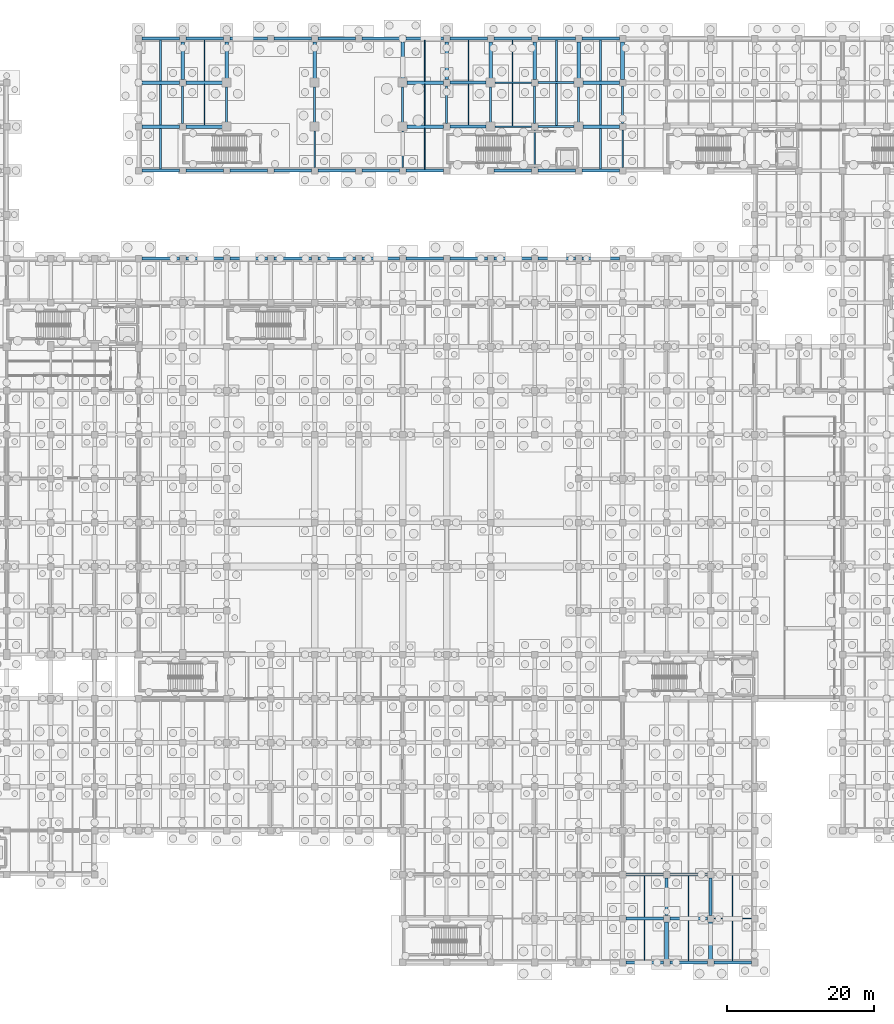
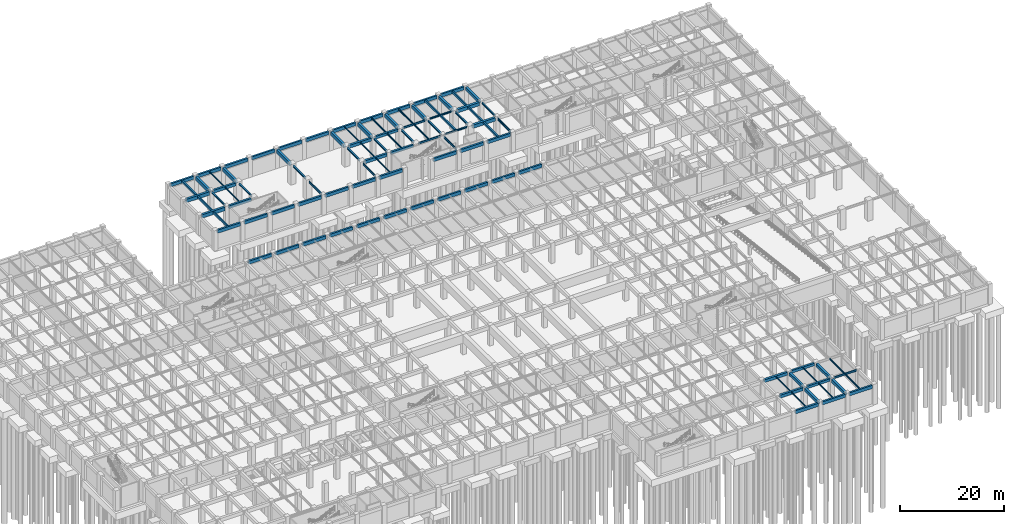
# One storey, part 33 of 54: 103 beams.
"""IFC4 building model written with IfcOpenShell, lengths in metres."""

from ifc_helpers import new_model, si_unit, direction, frame, origin, origin_2d, place, context, subcontext, project, spatial, rectangle, i_section, extrude, material, material_profile, profile_set, type_object, element, save


model = new_model("IFC4")

# Units and contexts
model_context = context("Model", 3, precision=1e-05, world=origin(), true_north=direction((0.0, 1.0)))
body_context = subcontext(model_context, "Body", "Model", "MODEL_VIEW")
ifc_project = project(units=[si_unit("LENGTHUNIT", "METRE"), si_unit("AREAUNIT", "SQUARE_METRE"), si_unit("VOLUMEUNIT", "CUBIC_METRE"), si_unit("PLANEANGLEUNIT", "RADIAN"), si_unit("MASSUNIT", "GRAM", prefix="KILO"), si_unit("THERMODYNAMICTEMPERATUREUNIT", "KELVIN"), si_unit("POWERUNIT", "WATT")], contexts=[model_context])

# Site, building, storey
site_placement = place(None, origin())
site = spatial("IfcSite", under=ifc_project, at=site_placement, CompositionType="ELEMENT")
building_placement = place(site_placement, origin())
building = spatial("IfcBuilding", under=site, at=building_placement, Name="Phaisarnlok Congress Hotel", CompositionType="ELEMENT")
storey_placement = place(building_placement, frame((0.0, 0.0, -4.800048828125)))
storey = spatial("IfcBuildingStorey", under=building, at=storey_placement, Name="B01", CompositionType="ELEMENT", Elevation=-4.800048828125)

# Beams
ifc_material_1 = material(Name="Concrete C40/50", Category="concrete")
ifc_material_profile_1 = material_profile(ifc_material_1, rectangle(XDim=0.39990234375, YDim=0.60009765625, at=origin_2d()), Name="RC 400x600")
ifc_profile_set_1 = profile_set([ifc_material_profile_1], Name="Concrete C40/50")
beam_type_1 = type_object("IfcBeamType", Name="BM-RC-400x600", PredefinedType="BEAM", material=ifc_profile_set_1)
for number, where, z_axis, x_axis, name in (
    (1, (102.445068359375, 114.0, 4.199951171875), (1.0, 0.0, 0.0), (0.0, 1.0, 0.0), "Beam B-02"),
    (2, (102.445068359375, 120.0, 4.199951171875), (1.0, 0.0, 0.0), (0.0, 1.0, 0.0), "Beam B-02"),
):
    element("IfcBeam", number, at=place(storey_placement, frame(where, z_axis=z_axis, x_axis=x_axis)), inside=storey, type_object=beam_type_1, Name=name, PredefinedType="BEAM", context=body_context, shape_type="SweptSolid", body=[
        extrude(rectangle(XDim=0.39990234375, YDim=0.60009765625, at=origin_2d()), origin(), (0.0, 0.0, 1.0), 4.9599609375),
    ])
for number, where, z_axis, x_axis, name in (
    (3, (132.445068359375, 6.0, 4.199951171875), (1.0, 0.0, 0.0), (0.0, 1.0, 0.0), "Beam B-02"),
    (4, (132.445068359375, 12.0, 4.199951171875), (1.0, 0.0, 0.0), (0.0, 1.0, 0.0), "Beam B-02"),
):
    element("IfcBeam", number, at=place(storey_placement, frame(where, z_axis=z_axis, x_axis=x_axis)), inside=storey, type_object=beam_type_1, Name=name, PredefinedType="BEAM", context=body_context, shape_type="SweptSolid", body=[
        extrude(rectangle(XDim=0.39990234375, YDim=0.60009765625, at=origin_2d()), origin(), (0.0, 0.0, 1.0), 5.10986328125),
    ])
ifc_material_profile_2 = material_profile(ifc_material_1, rectangle(XDim=0.449951171875, YDim=0.699951171875, at=origin_2d()), Name="RC 450x700")
ifc_profile_set_2 = profile_set([ifc_material_profile_2], Name="Concrete C40/50")
beam_type_2 = type_object("IfcBeamType", Name="BM-RC-450x700", PredefinedType="BEAM", material=ifc_profile_set_2)
for number, where, z_axis, x_axis, name in (
    (5, (66.445068359375, 114.0, 4.150146484375), (1.0, 0.0, 0.0), (0.0, 1.0, 0.0), "Beam B-03"),
    (6, (66.445068359375, 120.0, 4.150146484375), (1.0, 0.0, 0.0), (0.0, 1.0, 0.0), "Beam B-03"),
    (7, (96.594970703125, 114.0, 4.150146484375), (1.0, 0.0, 0.0), (0.0, 1.0, 0.0), "Beam B-03"),
    (8, (96.594970703125, 120.0, 4.150146484375), (1.0, 0.0, 0.0), (0.0, 1.0, 0.0), "Beam B-03"),
):
    element("IfcBeam", number, at=place(storey_placement, frame(where, z_axis=z_axis, x_axis=x_axis)), inside=storey, type_object=beam_type_2, Name=name, PredefinedType="BEAM", context=body_context, shape_type="SweptSolid", body=[
        extrude(rectangle(XDim=0.449951171875, YDim=0.699951171875, at=origin_2d()), origin(), (0.0, 0.0, 1.0), 4.9599609375),
    ])
for number, where, z_axis, x_axis, name in (
    (9, (126.445068359375, 6.0, 4.150146484375), (1.0, 0.0, 0.0), (0.0, 1.0, 0.0), "Beam B-03"),
    (10, (126.445068359375, 12.0, 4.150146484375), (1.0, 0.0, 0.0), (0.0, 1.0, 0.0), "Beam B-03"),
    (11, (132.0, 6.445068359375, 4.150146484375), (0.0, 1.0, 0.0), (-1.0, 0.0, 0.0), "Beam B-03"),
    (12, (138.0, 6.445068359375, 4.150146484375), (0.0, 1.0, 0.0), (-1.0, 0.0, 0.0), "Beam B-03"),
):
    element("IfcBeam", number, at=place(storey_placement, frame(where, z_axis=z_axis, x_axis=x_axis)), inside=storey, type_object=beam_type_2, Name=name, PredefinedType="BEAM", context=body_context, shape_type="SweptSolid", body=[
        extrude(rectangle(XDim=0.449951171875, YDim=0.699951171875, at=origin_2d()), origin(), (0.0, 0.0, 1.0), 5.10986328125),
    ])
ifc_material_profile_3 = material_profile(ifc_material_1, rectangle(XDim=0.5, YDim=0.800048828125, at=origin_2d()), Name="RC 500x800")
ifc_profile_set_3 = profile_set([ifc_material_profile_3], Name="Concrete C40/50")
beam_type_3 = type_object("IfcBeamType", Name="BM-RC-500x800", PredefinedType="BEAM", material=ifc_profile_set_3)
for number, where, z_axis, x_axis, name in (
    (13, (60.445068359375, 114.0, 4.10009765625), (1.0, 0.0, 0.0), (0.0, 1.0, 0.0), "Beam B-04"),
    (14, (60.445068359375, 120.0, 4.10009765625), (1.0, 0.0, 0.0), (0.0, 1.0, 0.0), "Beam B-04"),
    (15, (66.0, 120.445068359375, 4.10009765625), (0.0, 1.0, 0.0), (-1.0, 0.0, 0.0), "Beam B-04"),
):
    element("IfcBeam", number, at=place(storey_placement, frame(where, z_axis=z_axis, x_axis=x_axis)), inside=storey, type_object=beam_type_3, Name=name, PredefinedType="BEAM", context=body_context, shape_type="SweptSolid", body=[
        extrude(rectangle(XDim=0.5, YDim=0.800048828125, at=origin_2d()), origin(), (0.0, 0.0, 1.0), 5.10986328125),
    ])
for number, where, z_axis, x_axis, name in (
    (16, (72.0, 120.594970703125, 4.10009765625), (0.0, 1.0, 0.0), (-1.0, 0.0, 0.0), "Beam B-04"),
    (17, (84.0, 120.594970703125, 4.10009765625), (0.0, 1.0, 0.0), (-1.0, 0.0, 0.0), "Beam B-04"),
    (18, (96.0, 120.594970703125, 4.10009765625), (0.0, 1.0, 0.0), (-1.0, 0.0, 0.0), "Beam B-04"),
):
    element("IfcBeam", number, at=place(storey_placement, frame(where, z_axis=z_axis, x_axis=x_axis)), inside=storey, type_object=beam_type_3, Name=name, PredefinedType="BEAM", context=body_context, shape_type="SweptSolid", body=[
        extrude(rectangle(XDim=0.5, YDim=0.800048828125, at=origin_2d()), origin(), (0.0, 0.0, 1.0), 4.9599609375),
    ])
beam_1_placement = place(storey_placement, frame((102.0, 120.445068359375, 4.10009765625), z_axis=(0.0, 1.0, 0.0), x_axis=(-1.0, 0.0, 0.0)))
element("IfcBeam", 19, at=beam_1_placement, inside=storey, type_object=beam_type_3, Name="Beam B-04", PredefinedType="BEAM", context=body_context, shape_type="SweptSolid", body=[
    extrude(rectangle(XDim=0.5, YDim=0.800048828125, at=origin_2d()), origin(), (0.0, 0.0, 1.0), 5.10986328125),
])
beam_2_placement = place(storey_placement, frame((108.0, 120.594970703125, 4.10009765625), z_axis=(0.0, 1.0, 0.0), x_axis=(-1.0, 0.0, 0.0)))
element("IfcBeam", 20, at=beam_2_placement, inside=storey, type_object=beam_type_3, Name="Beam B-04", PredefinedType="BEAM", context=body_context, shape_type="SweptSolid", body=[
    extrude(rectangle(XDim=0.5, YDim=0.800048828125, at=origin_2d()), origin(), (0.0, 0.0, 1.0), 4.9599609375),
])
beam_3_placement = place(storey_placement, frame((114.0, 120.445068359375, 4.10009765625), z_axis=(0.0, 1.0, 0.0), x_axis=(-1.0, 0.0, 0.0)))
element("IfcBeam", 21, at=beam_3_placement, inside=storey, type_object=beam_type_3, Name="Beam B-04", PredefinedType="BEAM", context=body_context, shape_type="SweptSolid", body=[
    extrude(rectangle(XDim=0.5, YDim=0.800048828125, at=origin_2d()), origin(), (0.0, 0.0, 1.0), 5.10986328125),
])
for number, where, z_axis, x_axis, name in (
    (22, (120.594970703125, 114.0, 4.10009765625), (1.0, 0.0, 0.0), (0.0, 1.0, 0.0), "Beam B-04"),
    (23, (120.594970703125, 120.0, 4.10009765625), (1.0, 0.0, 0.0), (0.0, 1.0, 0.0), "Beam B-04"),
    (24, (120.0, 120.594970703125, 4.10009765625), (0.0, 1.0, 0.0), (-1.0, 0.0, 0.0), "Beam B-04"),
):
    element("IfcBeam", number, at=place(storey_placement, frame(where, z_axis=z_axis, x_axis=x_axis)), inside=storey, type_object=beam_type_3, Name=name, PredefinedType="BEAM", context=body_context, shape_type="SweptSolid", body=[
        extrude(rectangle(XDim=0.5, YDim=0.800048828125, at=origin_2d()), origin(), (0.0, 0.0, 1.0), 4.9599609375),
    ])
for number, where, z_axis, x_axis, name in (
    (25, (126.0, 120.445068359375, 4.10009765625), (0.0, 1.0, 0.0), (-1.0, 0.0, 0.0), "Beam B-04"),
    (26, (132.0, 0.445068359375, 4.10009765625), (0.0, 1.0, 0.0), (-1.0, 0.0, 0.0), "Beam B-04"),
    (27, (138.0, 0.445068359375, 4.10009765625), (0.0, 1.0, 0.0), (-1.0, 0.0, 0.0), "Beam B-04"),
):
    element("IfcBeam", number, at=place(storey_placement, frame(where, z_axis=z_axis, x_axis=x_axis)), inside=storey, type_object=beam_type_3, Name=name, PredefinedType="BEAM", context=body_context, shape_type="SweptSolid", body=[
        extrude(rectangle(XDim=0.5, YDim=0.800048828125, at=origin_2d()), origin(), (0.0, 0.0, 1.0), 5.10986328125),
    ])
ifc_material_2 = material(Name="Steel S355", Category="steel")
ifc_material_profile_4 = material_profile(ifc_material_2, i_section(OverallWidth=0.300048828125, OverallDepth=0.2900390625, WebThickness=0.008544921875, FlangeThickness=0.013916015625, FilletRadius=0.027099609375, at=origin_2d()), Name="HEA 300")
ifc_profile_set_4 = profile_set([ifc_material_profile_4], Name="Steel S355")
beam_type_4 = type_object("IfcBeamType", Name="BM-STL-HEA300", PredefinedType="BEAM", material=ifc_profile_set_4)
for number, where, z_axis, x_axis, name in (
    (28, (114.445068359375, 114.0, 4.35498046875), (1.0, 0.0, 0.0), (0.0, 1.0, 0.0), "Beam SB-05"),
    (29, (114.445068359375, 120.0, 4.35498046875), (1.0, 0.0, 0.0), (0.0, 1.0, 0.0), "Beam SB-05"),
):
    element("IfcBeam", number, at=place(storey_placement, frame(where, z_axis=z_axis, x_axis=x_axis)), inside=storey, type_object=beam_type_4, Name=name, PredefinedType="BEAM", context=body_context, shape_type="SweptSolid", body=[
        extrude(i_section(OverallWidth=0.300048828125, OverallDepth=0.2900390625, WebThickness=0.008544921875, FlangeThickness=0.013916015625, FilletRadius=0.027099609375, at=origin_2d()), origin(), (0.0, 0.0, 1.0), 4.9599609375),
    ])
ifc_material_profile_5 = material_profile(ifc_material_2, i_section(OverallWidth=0.300048828125, OverallDepth=0.340087890625, WebThickness=0.011962890625, FlangeThickness=0.021484375, FilletRadius=0.027099609375, at=origin_2d()), Name="HEB 340")
ifc_profile_set_5 = profile_set([ifc_material_profile_5], Name="Steel S355")
beam_type_5 = type_object("IfcBeamType", Name="BM-STL-HEB340", PredefinedType="BEAM", material=ifc_profile_set_5)
beam_4_placement = place(storey_placement, frame((66.0, 114.445068359375, 4.330078125), z_axis=(0.0, 1.0, 0.0), x_axis=(-1.0, 0.0, 0.0)))
element("IfcBeam", 30, at=beam_4_placement, inside=storey, type_object=beam_type_5, Name="Beam SB-07", PredefinedType="BEAM", context=body_context, shape_type="SweptSolid", body=[
    extrude(i_section(OverallWidth=0.300048828125, OverallDepth=0.340087890625, WebThickness=0.011962890625, FlangeThickness=0.021484375, FilletRadius=0.027099609375, at=origin_2d()), origin(), (0.0, 0.0, 1.0), 5.10986328125),
])
for number, where, z_axis, x_axis, name in (
    (31, (72.0, 114.594970703125, 4.330078125), (0.0, 1.0, 0.0), (-1.0, 0.0, 0.0), "Beam SB-07"),
    (32, (84.0, 114.594970703125, 4.330078125), (0.0, 1.0, 0.0), (-1.0, 0.0, 0.0), "Beam SB-07"),
    (33, (96.0, 114.594970703125, 4.330078125), (0.0, 1.0, 0.0), (-1.0, 0.0, 0.0), "Beam SB-07"),
):
    element("IfcBeam", number, at=place(storey_placement, frame(where, z_axis=z_axis, x_axis=x_axis)), inside=storey, type_object=beam_type_5, Name=name, PredefinedType="BEAM", context=body_context, shape_type="SweptSolid", body=[
        extrude(i_section(OverallWidth=0.300048828125, OverallDepth=0.340087890625, WebThickness=0.011962890625, FlangeThickness=0.021484375, FilletRadius=0.027099609375, at=origin_2d()), origin(), (0.0, 0.0, 1.0), 4.81005859375),
    ])
beam_5_placement = place(storey_placement, frame((102.0, 114.445068359375, 4.330078125), z_axis=(0.0, 1.0, 0.0), x_axis=(-1.0, 0.0, 0.0)))
element("IfcBeam", 34, at=beam_5_placement, inside=storey, type_object=beam_type_5, Name="Beam SB-07", PredefinedType="BEAM", context=body_context, shape_type="SweptSolid", body=[
    extrude(i_section(OverallWidth=0.300048828125, OverallDepth=0.340087890625, WebThickness=0.011962890625, FlangeThickness=0.021484375, FilletRadius=0.027099609375, at=origin_2d()), origin(), (0.0, 0.0, 1.0), 5.10986328125),
])
beam_6_placement = place(storey_placement, frame((108.0, 114.594970703125, 4.330078125), z_axis=(0.0, 1.0, 0.0), x_axis=(-1.0, 0.0, 0.0)))
element("IfcBeam", 35, at=beam_6_placement, inside=storey, type_object=beam_type_5, Name="Beam SB-07", PredefinedType="BEAM", context=body_context, shape_type="SweptSolid", body=[
    extrude(i_section(OverallWidth=0.300048828125, OverallDepth=0.340087890625, WebThickness=0.011962890625, FlangeThickness=0.021484375, FilletRadius=0.027099609375, at=origin_2d()), origin(), (0.0, 0.0, 1.0), 4.81005859375),
])
beam_7_placement = place(storey_placement, frame((114.0, 114.445068359375, 4.330078125), z_axis=(0.0, 1.0, 0.0), x_axis=(-1.0, 0.0, 0.0)))
element("IfcBeam", 36, at=beam_7_placement, inside=storey, type_object=beam_type_5, Name="Beam SB-07", PredefinedType="BEAM", context=body_context, shape_type="SweptSolid", body=[
    extrude(i_section(OverallWidth=0.300048828125, OverallDepth=0.340087890625, WebThickness=0.011962890625, FlangeThickness=0.021484375, FilletRadius=0.027099609375, at=origin_2d()), origin(), (0.0, 0.0, 1.0), 5.10986328125),
])
beam_8_placement = place(storey_placement, frame((120.0, 114.594970703125, 4.330078125), z_axis=(0.0, 1.0, 0.0), x_axis=(-1.0, 0.0, 0.0)))
element("IfcBeam", 37, at=beam_8_placement, inside=storey, type_object=beam_type_5, Name="Beam SB-07", PredefinedType="BEAM", context=body_context, shape_type="SweptSolid", body=[
    extrude(i_section(OverallWidth=0.300048828125, OverallDepth=0.340087890625, WebThickness=0.011962890625, FlangeThickness=0.021484375, FilletRadius=0.027099609375, at=origin_2d()), origin(), (0.0, 0.0, 1.0), 4.81005859375),
])
beam_9_placement = place(storey_placement, frame((126.0, 114.445068359375, 4.330078125), z_axis=(0.0, 1.0, 0.0), x_axis=(-1.0, 0.0, 0.0)))
element("IfcBeam", 38, at=beam_9_placement, inside=storey, type_object=beam_type_5, Name="Beam SB-07", PredefinedType="BEAM", context=body_context, shape_type="SweptSolid", body=[
    extrude(i_section(OverallWidth=0.300048828125, OverallDepth=0.340087890625, WebThickness=0.011962890625, FlangeThickness=0.021484375, FilletRadius=0.027099609375, at=origin_2d()), origin(), (0.0, 0.0, 1.0), 5.10986328125),
])
ifc_material_profile_6 = material_profile(ifc_material_2, i_section(OverallWidth=0.18994140625, OverallDepth=0.449951171875, WebThickness=0.009521484375, FlangeThickness=0.0146484375, FilletRadius=0.02099609375, at=origin_2d()), Name="IPE 450")
ifc_profile_set_6 = profile_set([ifc_material_profile_6], Name="Steel S355")
beam_type_6 = type_object("IfcBeamType", Name="BM-STL-IPE450", PredefinedType="BEAM", material=ifc_profile_set_6)
for number, where, z_axis, x_axis, name in (
    (39, (108.594970703125, 114.0, 4.275146484375), (1.0, 0.0, 0.0), (0.0, 1.0, 0.0), "Beam SB-01"),
    (40, (108.594970703125, 120.0, 4.275146484375), (1.0, 0.0, 0.0), (0.0, 1.0, 0.0), "Beam SB-01"),
):
    element("IfcBeam", number, at=place(storey_placement, frame(where, z_axis=z_axis, x_axis=x_axis)), inside=storey, type_object=beam_type_6, Name=name, PredefinedType="BEAM", context=body_context, shape_type="SweptSolid", body=[
        extrude(i_section(OverallWidth=0.18994140625, OverallDepth=0.449951171875, WebThickness=0.009521484375, FlangeThickness=0.0146484375, FilletRadius=0.02099609375, at=origin_2d()), origin(), (0.0, 0.0, 1.0), 4.9599609375),
    ])
beam_10_placement = place(storey_placement, frame((138.445068359375, 6.0, 4.275146484375), z_axis=(1.0, 0.0, 0.0), x_axis=(0.0, 1.0, 0.0)))
element("IfcBeam", 41, at=beam_10_placement, inside=storey, type_object=beam_type_6, Name="Beam SB-01", PredefinedType="BEAM", context=body_context, shape_type="SweptSolid", body=[
    extrude(i_section(OverallWidth=0.18994140625, OverallDepth=0.449951171875, WebThickness=0.009521484375, FlangeThickness=0.0146484375, FilletRadius=0.02099609375, at=origin_2d()), origin(), (0.0, 0.0, 1.0), 5.10986328125),
])
ifc_material_profile_7 = material_profile(ifc_material_2, i_section(OverallWidth=0.199951171875, OverallDepth=0.5, WebThickness=0.01025390625, FlangeThickness=0.01611328125, FilletRadius=0.02099609375, at=origin_2d()), Name="IPE 500")
ifc_profile_set_7 = profile_set([ifc_material_profile_7], Name="Steel S355")
beam_type_7 = type_object("IfcBeamType", Name="BM-STL-IPE500", PredefinedType="BEAM", material=ifc_profile_set_7)
for number, where, z_axis, x_axis, name in (
    (42, (84.0, 108.445068359375, 4.25), (0.0, 1.0, 0.0), (-1.0, 0.0, 0.0), "Beam SB-02"),
    (43, (96.0, 108.445068359375, 4.25), (0.0, 1.0, 0.0), (-1.0, 0.0, 0.0), "Beam SB-02"),
):
    element("IfcBeam", number, at=place(storey_placement, frame(where, z_axis=z_axis, x_axis=x_axis)), inside=storey, type_object=beam_type_7, Name=name, PredefinedType="BEAM", context=body_context, shape_type="SweptSolid", body=[
        extrude(i_section(OverallWidth=0.199951171875, OverallDepth=0.5, WebThickness=0.01025390625, FlangeThickness=0.01611328125, FilletRadius=0.02099609375, at=origin_2d()), origin(), (0.0, 0.0, 1.0), 4.9599609375),
    ])
for number, where, z_axis, x_axis, name in (
    (44, (114.0, 108.445068359375, 4.25), (0.0, 1.0, 0.0), (-1.0, 0.0, 0.0), "Beam SB-02"),
    (45, (126.0, 108.445068359375, 4.25), (0.0, 1.0, 0.0), (-1.0, 0.0, 0.0), "Beam SB-02"),
):
    element("IfcBeam", number, at=place(storey_placement, frame(where, z_axis=z_axis, x_axis=x_axis)), inside=storey, type_object=beam_type_7, Name=name, PredefinedType="BEAM", context=body_context, shape_type="SweptSolid", body=[
        extrude(i_section(OverallWidth=0.199951171875, OverallDepth=0.5, WebThickness=0.01025390625, FlangeThickness=0.01611328125, FilletRadius=0.02099609375, at=origin_2d()), origin(), (0.0, 0.0, 1.0), 5.10986328125),
    ])
ifc_material_profile_8 = material_profile(ifc_material_1, rectangle(XDim=0.300048828125, YDim=0.5, at=origin_2d()), Name="RC 300x500")
ifc_profile_set_8 = profile_set([ifc_material_profile_8], Name="Concrete C40/50")
beam_type_8 = type_object("IfcBeamType", Name="JS-RC-300x500", PredefinedType="JOIST", material=ifc_profile_set_8)
beam_11_placement = place(storey_placement, frame((63.0, 108.195068359375, 4.25), z_axis=(0.0, 1.0, 0.0), x_axis=(-1.0, 0.0, 0.0)))
element("IfcBeam", 46, at=beam_11_placement, inside=storey, type_object=beam_type_8, Name="Secondary floor joist J-01", PredefinedType="JOIST", context=body_context, shape_type="SweptSolid", body=[
    extrude(rectangle(XDim=0.300048828125, YDim=0.5, at=origin_2d()), origin(), (0.0, 0.0, 1.0), 5.559814453125),
])
beam_12_placement = place(storey_placement, frame((63.0, 114.2451171875, 4.25), z_axis=(0.0, 1.0, 0.0), x_axis=(-1.0, 0.0, 0.0)))
element("IfcBeam", 47, at=beam_12_placement, inside=storey, type_object=beam_type_8, Name="Secondary floor joist J-01", PredefinedType="JOIST", context=body_context, shape_type="SweptSolid", body=[
    extrude(rectangle(XDim=0.300048828125, YDim=0.5, at=origin_2d()), origin(), (0.0, 0.0, 1.0), 5.509765625),
])
beam_13_placement = place(storey_placement, frame((63.0, 120.2451171875, 4.25), z_axis=(0.0, 1.0, 0.0), x_axis=(-1.0, 0.0, 0.0)))
element("IfcBeam", 48, at=beam_13_placement, inside=storey, type_object=beam_type_8, Name="Secondary floor joist J-01", PredefinedType="JOIST", context=body_context, shape_type="SweptSolid", body=[
    extrude(rectangle(XDim=0.300048828125, YDim=0.5, at=origin_2d()), origin(), (0.0, 0.0, 1.0), 5.559814453125),
])
beam_14_placement = place(storey_placement, frame((117.0, 114.14501953125, 4.25), z_axis=(0.0, 1.0, 0.0), x_axis=(-1.0, 0.0, 0.0)))
element("IfcBeam", 49, at=beam_14_placement, inside=storey, type_object=beam_type_8, Name="Secondary floor joist J-01", PredefinedType="JOIST", context=body_context, shape_type="SweptSolid", body=[
    extrude(rectangle(XDim=0.300048828125, YDim=0.5, at=origin_2d()), origin(), (0.0, 0.0, 1.0), 5.7099609375),
])
beam_15_placement = place(storey_placement, frame((117.0, 120.14501953125, 4.25), z_axis=(0.0, 1.0, 0.0), x_axis=(-1.0, 0.0, 0.0)))
element("IfcBeam", 50, at=beam_15_placement, inside=storey, type_object=beam_type_8, Name="Secondary floor joist J-01", PredefinedType="JOIST", context=body_context, shape_type="SweptSolid", body=[
    extrude(rectangle(XDim=0.300048828125, YDim=0.5, at=origin_2d()), origin(), (0.0, 0.0, 1.0), 5.659912109375),
])
beam_16_placement = place(storey_placement, frame((123.0, 108.195068359375, 4.25), z_axis=(0.0, 1.0, 0.0), x_axis=(-1.0, 0.0, 0.0)))
element("IfcBeam", 51, at=beam_16_placement, inside=storey, type_object=beam_type_8, Name="Secondary floor joist J-01", PredefinedType="JOIST", context=body_context, shape_type="SweptSolid", body=[
    extrude(rectangle(XDim=0.300048828125, YDim=0.5, at=origin_2d()), origin(), (0.0, 0.0, 1.0), 5.559814453125),
])
beam_17_placement = place(storey_placement, frame((123.0, 114.2451171875, 4.25), z_axis=(0.0, 1.0, 0.0), x_axis=(-1.0, 0.0, 0.0)))
element("IfcBeam", 52, at=beam_17_placement, inside=storey, type_object=beam_type_8, Name="Secondary floor joist J-01", PredefinedType="JOIST", context=body_context, shape_type="SweptSolid", body=[
    extrude(rectangle(XDim=0.300048828125, YDim=0.5, at=origin_2d()), origin(), (0.0, 0.0, 1.0), 5.509765625),
])
beam_18_placement = place(storey_placement, frame((123.0, 120.2451171875, 4.25), z_axis=(0.0, 1.0, 0.0), x_axis=(-1.0, 0.0, 0.0)))
element("IfcBeam", 53, at=beam_18_placement, inside=storey, type_object=beam_type_8, Name="Secondary floor joist J-01", PredefinedType="JOIST", context=body_context, shape_type="SweptSolid", body=[
    extrude(rectangle(XDim=0.300048828125, YDim=0.5, at=origin_2d()), origin(), (0.0, 0.0, 1.0), 5.559814453125),
])
ifc_material_profile_9 = material_profile(ifc_material_2, i_section(OverallWidth=0.135009765625, OverallDepth=0.27001953125, WebThickness=0.006591796875, FlangeThickness=0.01025390625, FilletRadius=0.014892578125, at=origin_2d()), Name="IPE 270")
ifc_profile_set_9 = profile_set([ifc_material_profile_9], Name="Steel S355")
beam_type_9 = type_object("IfcBeamType", Name="JS-STL-IPE270", PredefinedType="JOIST", material=ifc_profile_set_9)
beam_19_placement = place(storey_placement, frame((99.0, 108.195068359375, 4.364990234375), z_axis=(0.0, 1.0, 0.0), x_axis=(-1.0, 0.0, 0.0)))
element("IfcBeam", 54, at=beam_19_placement, inside=storey, type_object=beam_type_9, Name="Secondary floor joist J-02", PredefinedType="JOIST", context=body_context, shape_type="SweptSolid", body=[
    extrude(i_section(OverallWidth=0.135009765625, OverallDepth=0.27001953125, WebThickness=0.006591796875, FlangeThickness=0.01025390625, FilletRadius=0.014892578125, at=origin_2d()), origin(), (0.0, 0.0, 1.0), 5.5849609375),
])
beam_20_placement = place(storey_placement, frame((99.0, 114.219970703125, 4.364990234375), z_axis=(0.0, 1.0, 0.0), x_axis=(-1.0, 0.0, 0.0)))
element("IfcBeam", 55, at=beam_20_placement, inside=storey, type_object=beam_type_9, Name="Secondary floor joist J-02", PredefinedType="JOIST", context=body_context, shape_type="SweptSolid", body=[
    extrude(i_section(OverallWidth=0.135009765625, OverallDepth=0.27001953125, WebThickness=0.006591796875, FlangeThickness=0.01025390625, FilletRadius=0.014892578125, at=origin_2d()), origin(), (0.0, 0.0, 1.0), 5.56005859375),
])
beam_21_placement = place(storey_placement, frame((99.0, 120.219970703125, 4.364990234375), z_axis=(0.0, 1.0, 0.0), x_axis=(-1.0, 0.0, 0.0)))
element("IfcBeam", 56, at=beam_21_placement, inside=storey, type_object=beam_type_9, Name="Secondary floor joist J-02", PredefinedType="JOIST", context=body_context, shape_type="SweptSolid", body=[
    extrude(i_section(OverallWidth=0.135009765625, OverallDepth=0.27001953125, WebThickness=0.006591796875, FlangeThickness=0.01025390625, FilletRadius=0.014892578125, at=origin_2d()), origin(), (0.0, 0.0, 1.0), 5.5849609375),
])
ifc_material_profile_10 = material_profile(ifc_material_2, i_section(OverallWidth=0.14990234375, OverallDepth=0.300048828125, WebThickness=0.007080078125, FlangeThickness=0.0107421875, FilletRadius=0.014892578125, at=origin_2d()), Name="IPE 300")
ifc_profile_set_10 = profile_set([ifc_material_profile_10], Name="Steel S355")
beam_type_10 = type_object("IfcBeamType", Name="JS-STL-IPE300", PredefinedType="JOIST", material=ifc_profile_set_10)
beam_22_placement = place(storey_placement, frame((69.0, 114.219970703125, 4.35009765625), z_axis=(0.0, 1.0, 0.0), x_axis=(-1.0, 0.0, 0.0)))
element("IfcBeam", 57, at=beam_22_placement, inside=storey, type_object=beam_type_10, Name="Secondary floor joist J-03", PredefinedType="JOIST", context=body_context, shape_type="SweptSolid", body=[
    extrude(i_section(OverallWidth=0.14990234375, OverallDepth=0.300048828125, WebThickness=0.007080078125, FlangeThickness=0.0107421875, FilletRadius=0.014892578125, at=origin_2d()), origin(), (0.0, 0.0, 1.0), 5.56005859375),
])
for number, where, z_axis, x_axis, name in (
    (58, (69.0, 120.219970703125, 4.35009765625), (0.0, 1.0, 0.0), (-1.0, 0.0, 0.0), "Secondary floor joist J-03"),
    (59, (129.0, 0.195068359375, 4.35009765625), (0.0, 1.0, 0.0), (-1.0, 0.0, 0.0), "Secondary floor joist J-03"),
):
    element("IfcBeam", number, at=place(storey_placement, frame(where, z_axis=z_axis, x_axis=x_axis)), inside=storey, type_object=beam_type_10, Name=name, PredefinedType="JOIST", context=body_context, shape_type="SweptSolid", body=[
        extrude(i_section(OverallWidth=0.14990234375, OverallDepth=0.300048828125, WebThickness=0.007080078125, FlangeThickness=0.0107421875, FilletRadius=0.014892578125, at=origin_2d()), origin(), (0.0, 0.0, 1.0), 5.5849609375),
    ])
beam_23_placement = place(storey_placement, frame((129.0, 6.219970703125, 4.35009765625), z_axis=(0.0, 1.0, 0.0), x_axis=(-1.0, 0.0, 0.0)))
element("IfcBeam", 60, at=beam_23_placement, inside=storey, type_object=beam_type_10, Name="Secondary floor joist J-03", PredefinedType="JOIST", context=body_context, shape_type="SweptSolid", body=[
    extrude(i_section(OverallWidth=0.14990234375, OverallDepth=0.300048828125, WebThickness=0.007080078125, FlangeThickness=0.0107421875, FilletRadius=0.014892578125, at=origin_2d()), origin(), (0.0, 0.0, 1.0), 5.56005859375),
])
for number, where, z_axis, x_axis, name in (
    (61, (135.0, 0.195068359375, 4.35009765625), (0.0, 1.0, 0.0), (-1.0, 0.0, 0.0), "Secondary floor joist J-03"),
    (62, (135.0, 6.195068359375, 4.35009765625), (0.0, 1.0, 0.0), (-1.0, 0.0, 0.0), "Secondary floor joist J-03"),
):
    element("IfcBeam", number, at=place(storey_placement, frame(where, z_axis=z_axis, x_axis=x_axis)), inside=storey, type_object=beam_type_10, Name=name, PredefinedType="JOIST", context=body_context, shape_type="SweptSolid", body=[
        extrude(i_section(OverallWidth=0.14990234375, OverallDepth=0.300048828125, WebThickness=0.007080078125, FlangeThickness=0.0107421875, FilletRadius=0.014892578125, at=origin_2d()), origin(), (0.0, 0.0, 1.0), 5.60986328125),
    ])
ifc_material_profile_11 = material_profile(ifc_material_2, i_section(OverallWidth=0.169921875, OverallDepth=0.360107421875, WebThickness=0.008056640625, FlangeThickness=0.0126953125, FilletRadius=0.01806640625, at=origin_2d()), Name="IPE 360")
ifc_profile_set_11 = profile_set([ifc_material_profile_11], Name="Steel S355")
beam_type_11 = type_object("IfcBeamType", Name="JS-STL-IPE360", PredefinedType="JOIST", material=ifc_profile_set_11)
for number, where, z_axis, x_axis, name in (
    (63, (105.0, 114.195068359375, 4.320068359375), (0.0, 1.0, 0.0), (-1.0, 0.0, 0.0), "Secondary floor joist J-04"),
    (64, (105.0, 120.195068359375, 4.320068359375), (0.0, 1.0, 0.0), (-1.0, 0.0, 0.0), "Secondary floor joist J-04"),
):
    element("IfcBeam", number, at=place(storey_placement, frame(where, z_axis=z_axis, x_axis=x_axis)), inside=storey, type_object=beam_type_11, Name=name, PredefinedType="JOIST", context=body_context, shape_type="SweptSolid", body=[
        extrude(i_section(OverallWidth=0.169921875, OverallDepth=0.360107421875, WebThickness=0.008056640625, FlangeThickness=0.0126953125, FilletRadius=0.01806640625, at=origin_2d()), origin(), (0.0, 0.0, 1.0), 5.60986328125),
    ])
beam_24_placement = place(storey_placement, frame((111.0, 114.090087890625, 4.320068359375), z_axis=(0.0, 1.0, 0.0), x_axis=(-1.0, 0.0, 0.0)))
element("IfcBeam", 65, at=beam_24_placement, inside=storey, type_object=beam_type_11, Name="Secondary floor joist J-04", PredefinedType="JOIST", context=body_context, shape_type="SweptSolid", body=[
    extrude(i_section(OverallWidth=0.169921875, OverallDepth=0.360107421875, WebThickness=0.008056640625, FlangeThickness=0.0126953125, FilletRadius=0.01806640625, at=origin_2d()), origin(), (0.0, 0.0, 1.0), 5.81982421875),
])
beam_25_placement = place(storey_placement, frame((111.0, 120.090087890625, 4.320068359375), z_axis=(0.0, 1.0, 0.0), x_axis=(-1.0, 0.0, 0.0)))
element("IfcBeam", 66, at=beam_25_placement, inside=storey, type_object=beam_type_11, Name="Secondary floor joist J-04", PredefinedType="JOIST", context=body_context, shape_type="SweptSolid", body=[
    extrude(i_section(OverallWidth=0.169921875, OverallDepth=0.360107421875, WebThickness=0.008056640625, FlangeThickness=0.0126953125, FilletRadius=0.01806640625, at=origin_2d()), origin(), (0.0, 0.0, 1.0), 5.71484375),
])
ifc_material_profile_12 = material_profile(ifc_material_2, i_section(OverallWidth=0.179931640625, OverallDepth=0.39990234375, WebThickness=0.008544921875, FlangeThickness=0.013427734375, FilletRadius=0.02099609375, at=origin_2d()), Name="IPE 400")
ifc_profile_set_12 = profile_set([ifc_material_profile_12], Name="Steel S355")
beam_type_12 = type_object("IfcBeamType", Name="JS-STL-IPE400", PredefinedType="JOIST", material=ifc_profile_set_12)
beam_26_placement = place(storey_placement, frame((141.0, 0.195068359375, 4.300048828125), z_axis=(0.0, 1.0, 0.0), x_axis=(-1.0, 0.0, 0.0)))
element("IfcBeam", 67, at=beam_26_placement, inside=storey, type_object=beam_type_12, Name="Secondary floor joist J-05", PredefinedType="JOIST", context=body_context, shape_type="SweptSolid", body=[
    extrude(i_section(OverallWidth=0.179931640625, OverallDepth=0.39990234375, WebThickness=0.008544921875, FlangeThickness=0.013427734375, FilletRadius=0.02099609375, at=origin_2d()), origin(), (0.0, 0.0, 1.0), 5.71484375),
])
beam_27_placement = place(storey_placement, frame((141.0, 6.090087890625, 4.300048828125), z_axis=(0.0, 1.0, 0.0), x_axis=(-1.0, 0.0, 0.0)))
element("IfcBeam", 68, at=beam_27_placement, inside=storey, type_object=beam_type_12, Name="Secondary floor joist J-05", PredefinedType="JOIST", context=body_context, shape_type="SweptSolid", body=[
    extrude(i_section(OverallWidth=0.179931640625, OverallDepth=0.39990234375, WebThickness=0.008544921875, FlangeThickness=0.013427734375, FilletRadius=0.02099609375, at=origin_2d()), origin(), (0.0, 0.0, 1.0), 5.81982421875),
])
ifc_material_profile_13 = material_profile(ifc_material_1, rectangle(XDim=0.39990234375, YDim=0.75, at=origin_2d()), Name="RC 400x750")
ifc_profile_set_13 = profile_set([ifc_material_profile_13], Name="Concrete C40/50")
beam_type_13 = type_object("IfcBeamType", Name="SP-RC-400x750", PredefinedType="SPANDREL", material=ifc_profile_set_13)
for number, where, z_axis, x_axis, name in (
    (69, (60.445068359375, 96.0, 4.125), (1.0, 0.0, 0.0), (0.0, 1.0, 0.0), "Beam SP-02"),
    (70, (60.445068359375, 108.0, 4.125), (1.0, 0.0, 0.0), (0.0, 1.0, 0.0), "Beam SP-02"),
    (71, (60.445068359375, 126.0, 4.125), (1.0, 0.0, 0.0), (0.0, 1.0, 0.0), "Beam SP-02"),
    (72, (66.445068359375, 96.0, 4.125), (1.0, 0.0, 0.0), (0.0, 1.0, 0.0), "Beam SP-02"),
    (73, (66.445068359375, 108.0, 4.125), (1.0, 0.0, 0.0), (0.0, 1.0, 0.0), "Beam SP-02"),
    (74, (66.445068359375, 126.0, 4.125), (1.0, 0.0, 0.0), (0.0, 1.0, 0.0), "Beam SP-02"),
    (75, (72.445068359375, 96.0, 4.125), (1.0, 0.0, 0.0), (0.0, 1.0, 0.0), "Beam SP-02"),
    (76, (72.445068359375, 108.0, 4.125), (1.0, 0.0, 0.0), (0.0, 1.0, 0.0), "Beam SP-02"),
    (77, (72.445068359375, 126.0, 4.125), (1.0, 0.0, 0.0), (0.0, 1.0, 0.0), "Beam SP-02"),
    (78, (78.445068359375, 96.0, 4.125), (1.0, 0.0, 0.0), (0.0, 1.0, 0.0), "Beam SP-02"),
    (79, (78.445068359375, 108.0, 4.125), (1.0, 0.0, 0.0), (0.0, 1.0, 0.0), "Beam SP-02"),
    (80, (78.445068359375, 126.0, 4.125), (1.0, 0.0, 0.0), (0.0, 1.0, 0.0), "Beam SP-02"),
    (81, (84.445068359375, 96.0, 4.125), (1.0, 0.0, 0.0), (0.0, 1.0, 0.0), "Beam SP-02"),
    (82, (84.445068359375, 108.0, 4.125), (1.0, 0.0, 0.0), (0.0, 1.0, 0.0), "Beam SP-02"),
    (83, (84.445068359375, 126.0, 4.125), (1.0, 0.0, 0.0), (0.0, 1.0, 0.0), "Beam SP-02"),
    (84, (90.445068359375, 96.0, 4.125), (1.0, 0.0, 0.0), (0.0, 1.0, 0.0), "Beam SP-02"),
    (85, (90.445068359375, 108.0, 4.125), (1.0, 0.0, 0.0), (0.0, 1.0, 0.0), "Beam SP-02"),
    (86, (90.445068359375, 126.0, 4.125), (1.0, 0.0, 0.0), (0.0, 1.0, 0.0), "Beam SP-02"),
    (87, (96.445068359375, 96.0, 4.125), (1.0, 0.0, 0.0), (0.0, 1.0, 0.0), "Beam SP-02"),
    (88, (96.445068359375, 108.0, 4.125), (1.0, 0.0, 0.0), (0.0, 1.0, 0.0), "Beam SP-02"),
    (89, (96.445068359375, 126.0, 4.125), (1.0, 0.0, 0.0), (0.0, 1.0, 0.0), "Beam SP-02"),
    (90, (102.445068359375, 96.0, 4.125), (1.0, 0.0, 0.0), (0.0, 1.0, 0.0), "Beam SP-02"),
    (91, (102.445068359375, 126.0, 4.125), (1.0, 0.0, 0.0), (0.0, 1.0, 0.0), "Beam SP-02"),
    (92, (108.445068359375, 96.0, 4.125), (1.0, 0.0, 0.0), (0.0, 1.0, 0.0), "Beam SP-02"),
    (93, (108.445068359375, 108.0, 4.125), (1.0, 0.0, 0.0), (0.0, 1.0, 0.0), "Beam SP-02"),
    (94, (108.445068359375, 126.0, 4.125), (1.0, 0.0, 0.0), (0.0, 1.0, 0.0), "Beam SP-02"),
    (95, (114.445068359375, 96.0, 4.125), (1.0, 0.0, 0.0), (0.0, 1.0, 0.0), "Beam SP-02"),
    (96, (114.445068359375, 108.0, 4.125), (1.0, 0.0, 0.0), (0.0, 1.0, 0.0), "Beam SP-02"),
    (97, (114.445068359375, 126.0, 4.125), (1.0, 0.0, 0.0), (0.0, 1.0, 0.0), "Beam SP-02"),
    (98, (120.445068359375, 96.0, 4.125), (1.0, 0.0, 0.0), (0.0, 1.0, 0.0), "Beam SP-02"),
    (99, (120.445068359375, 108.0, 4.125), (1.0, 0.0, 0.0), (0.0, 1.0, 0.0), "Beam SP-02"),
    (100, (120.445068359375, 126.0, 4.125), (1.0, 0.0, 0.0), (0.0, 1.0, 0.0), "Beam SP-02"),
    (101, (126.445068359375, 0.0, 4.125), (1.0, 0.0, 0.0), (0.0, 1.0, 0.0), "Beam SP-02"),
    (102, (132.445068359375, 0.0, 4.125), (1.0, 0.0, 0.0), (0.0, 1.0, 0.0), "Beam SP-02"),
    (103, (138.445068359375, 0.0, 4.125), (1.0, 0.0, 0.0), (0.0, 1.0, 0.0), "Beam SP-02"),
):
    element("IfcBeam", number, at=place(storey_placement, frame(where, z_axis=z_axis, x_axis=x_axis)), inside=storey, type_object=beam_type_13, Name=name, PredefinedType="SPANDREL", context=body_context, shape_type="SweptSolid", body=[
        extrude(rectangle(XDim=0.39990234375, YDim=0.75, at=origin_2d()), origin(), (0.0, 0.0, 1.0), 5.10986328125),
    ])

save(model, "model.ifc")
